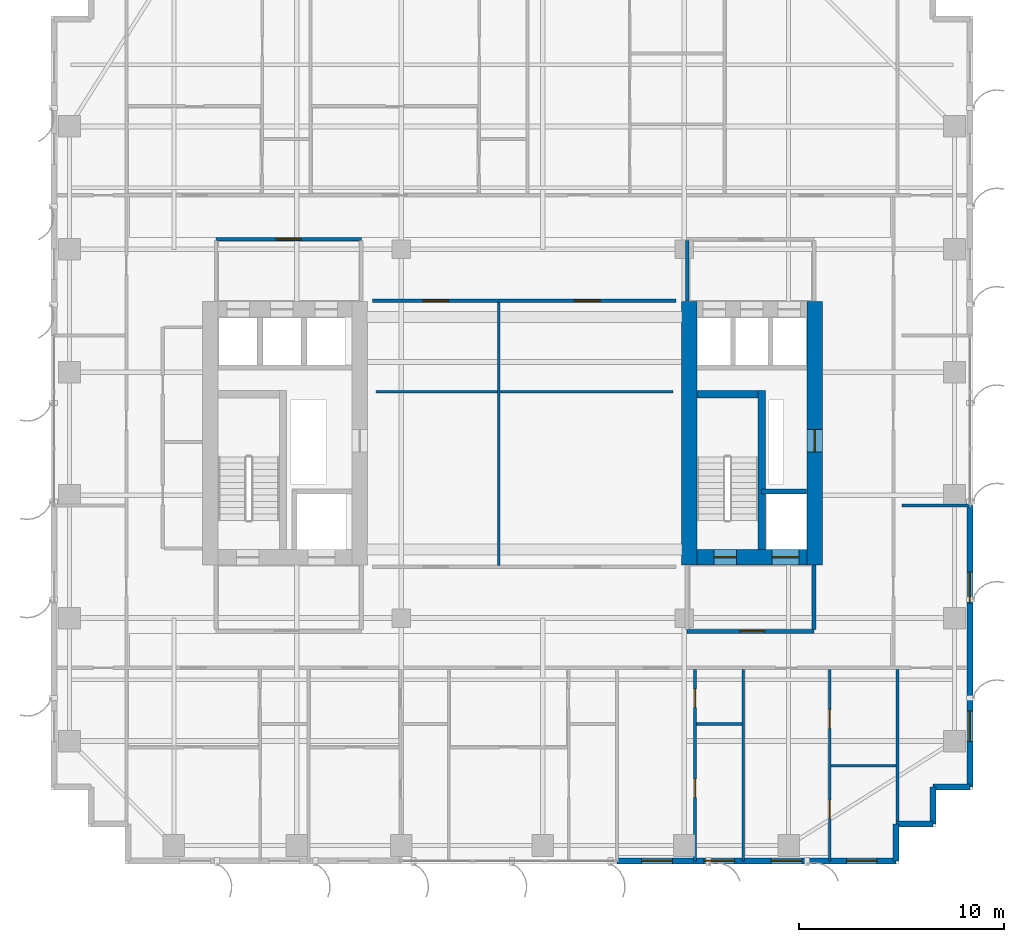
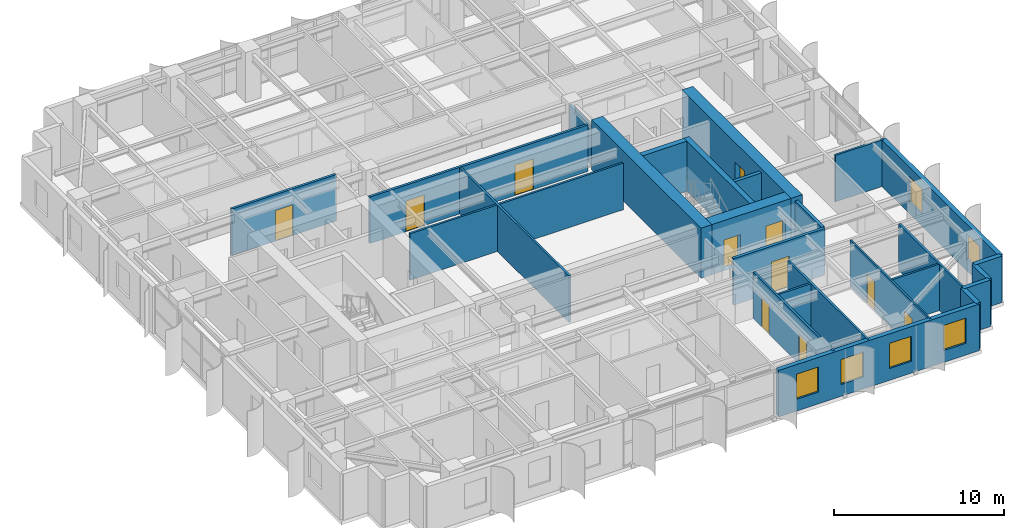
# One storey, part 15 of 22: 26 walls, 11 doors, 6 windows, 17 openings.
"""IFC4 building model written with IfcOpenShell, lengths in metres."""

from ifc_helpers import new_model, si_unit, direction, frame, frame_2d, origin, place, context, subcontext, project, spatial, rectangle, extrude, source, transform, mapped, material, layer, layer_set, type_object, element, fill, save


model = new_model("IFC4")

# Units and contexts
model_context = context("Model", 3, precision=1e-05, world=origin(), true_north=direction((0.0, 1.0)))
body_context = subcontext(model_context, "Body", "Model", "MODEL_VIEW")
ifc_project = project(units=[si_unit("LENGTHUNIT", "METRE"), si_unit("AREAUNIT", "SQUARE_METRE"), si_unit("VOLUMEUNIT", "CUBIC_METRE"), si_unit("PLANEANGLEUNIT", "RADIAN"), si_unit("MASSUNIT", "GRAM", prefix="KILO")], contexts=[model_context])

# Site, building, storey
site_placement = place(None, origin())
site = spatial("IfcSite", under=ifc_project, at=site_placement, CompositionType="ELEMENT")
building_placement = place(site_placement, origin())
building = spatial("IfcBuilding", under=site, at=building_placement, Name="Khoralis Quay Care Tower", CompositionType="ELEMENT")
storey_placement = place(building_placement, frame((0.0, 0.0, 101.699951171875)))
storey = spatial("IfcBuildingStorey", under=building, at=storey_placement, Name="L26", CompositionType="ELEMENT", Elevation=101.699951171875)

# Wall, opening, door
ifc_material_1 = material(Name="Gypsum plasterboard on acoustic metal stud")
ifc_layer_1 = layer(ifc_material_1, 0.199951171875)
ifc_layer_set_1 = layer_set([ifc_layer_1], Name="Gypsum plasterboard on acoustic metal stud")
wall_type_1 = type_object("IfcWallType", Name="WL-COMP-200", PredefinedType="PARTITIONING", material=ifc_layer_set_1)
wall_1_placement = place(storey_placement, frame((31.050048828125, 11.35009765625, 0.0), z_axis=(0.0, 0.0, 1.0), x_axis=(1.0, 0.0, 0.0)))
wall_1 = element("IfcWall", 1, at=wall_1_placement, inside=storey, type_object=wall_type_1, Name="L26 East Firefighting Lobby South Wall", PredefinedType="PARTITIONING", context=body_context, shape_type="SweptSolid", body=[
    extrude(rectangle(XDim=6.199951171875, YDim=0.199951171875, at=frame_2d((3.10009765625, 0.0))), origin(), (0.0, 0.0, 1.0), 3.340087890625),
])
opening_1_placement = place(wall_1_placement, frame((2.585693359375, 0.0, 0.0)))
opening_1 = element("IfcOpeningElement", 2, at=opening_1_placement, cuts=wall_1, Name="Opening FD1", PredefinedType="OPENING", context=body_context, shape_type="SweptSolid", body=[
    extrude(rectangle(XDim=1.199951171875, YDim=2.199951171875, at=frame_2d((0.60009765625, 1.10009765625))), frame((0.0, 0.10986328125, 0.0), z_axis=(0.0, -1.0, 0.0), x_axis=(1.0, 0.0, 0.0)), (0.0, 0.0, 1.0), 0.219970703125),
])
ifc_material_2 = material(Name="Fire-rated painted steel", Category="steel")
door_type_1 = type_object("IfcDoorType", Name="DR-FFL-1200X2200", OperationType="NOTDEFINED", PredefinedType="DOOR", material=ifc_material_2)
shared_shape_1 = source(origin(), body_context, "Body", "SweptSolid", [
    extrude(rectangle(XDim=1.199951171875, YDim=2.199951171875, at=frame_2d((0.60009765625, 1.10009765625))), frame((0.0, 0.02490234375, 0.0), z_axis=(0.0, -1.0, 0.0), x_axis=(1.0, 0.0, 0.0)), (0.0, 0.0, 1.0), 0.050048828125),
])
door_1_placement = place(opening_1_placement, origin())
door_1 = element("IfcDoor", 3, at=door_1_placement, inside=storey, type_object=door_type_1, Name="L26 East Firefighting Lobby Fire Door", OperationType="SINGLE_SWING_LEFT", OverallHeight=2.199951171875, OverallWidth=1.199951171875, PredefinedType="DOOR", context=body_context, shape_type="MappedRepresentation", body=[
    mapped(shared_shape_1, transform((0.0, 0.0, 0.0), scale=1.0)),
])
fill(opening_1, door_1)

# Walls
wall_2_placement = place(storey_placement, frame((37.25, 11.445068359375, 0.0), z_axis=(0.0, 0.0, 1.0), x_axis=(0.0, 1.0, 0.0)))
element("IfcWall", 4, at=wall_2_placement, inside=storey, type_object=wall_type_1, Name="L26 East Firefighting Lobby East Wall", PredefinedType="PARTITIONING", context=body_context, shape_type="SweptSolid", body=[
    extrude(rectangle(XDim=3.135009765625, YDim=0.199951171875, at=frame_2d((1.5673828125, 0.0))), origin(), (0.0, 0.0, 1.0), 3.340087890625),
])
ifc_material_3 = material(Name="Concrete C80/95", Category="concrete")
ifc_layer_2 = layer(ifc_material_3, 0.75)
ifc_layer_set_2 = layer_set([ifc_layer_2], Name="Concrete C80/95")
wall_type_2 = type_object("IfcWallType", Name="WL-CORE-750", PredefinedType="SHEAR", material=ifc_layer_set_2)
wall_3_placement = place(storey_placement, frame((31.14501953125, 14.60009765625, 0.0), z_axis=(0.0, 0.0, 1.0), x_axis=(0.0, 1.0, 0.0)))
element("IfcWall", 5, at=wall_3_placement, inside=storey, type_object=wall_type_2, Name="L26 ECORE West Shear Wall", PredefinedType="SHEAR", context=body_context, shape_type="SweptSolid", body=[
    extrude(rectangle(XDim=12.849853515625, YDim=0.75, at=frame_2d((6.4248046875, 0.0))), origin(), (0.0, 0.0, 1.0), 3.60009765625),
])

# Wall, opening, door
wall_4_placement = place(storey_placement, frame((37.27490234375, 14.60009765625, 0.0), z_axis=(0.0, 0.0, 1.0), x_axis=(0.0, 1.0, 0.0)))
wall_4 = element("IfcWall", 6, at=wall_4_placement, inside=storey, type_object=wall_type_2, Name="L26 ECORE East Shear Wall", PredefinedType="SHEAR", context=body_context, shape_type="SweptSolid", body=[
    extrude(rectangle(XDim=12.849853515625, YDim=0.75, at=frame_2d((6.4248046875, 0.0))), origin(), (0.0, 0.0, 1.0), 3.60009765625),
])
opening_2_placement = place(wall_4_placement, frame((5.5, 0.0, 0.0)))
opening_2 = element("IfcOpeningElement", 7, at=opening_2_placement, cuts=wall_4, Name="Opening SD1", PredefinedType="OPENING", context=body_context, shape_type="SweptSolid", body=[
    extrude(rectangle(XDim=1.10009765625, YDim=2.199951171875, at=frame_2d((0.550048828125, 1.10009765625))), frame((0.0, 0.385009765625, 0.0), z_axis=(0.0, -1.0, 0.0), x_axis=(1.0, 0.0, 0.0)), (0.0, 0.0, 1.0), 0.77001953125),
])
door_type_2 = type_object("IfcDoorType", Name="DR-STAIR-1100X2200", OperationType="NOTDEFINED", PredefinedType="DOOR", material=ifc_material_2)
shared_shape_2 = source(origin(), body_context, "Body", "SweptSolid", [
    extrude(rectangle(XDim=1.10009765625, YDim=2.199951171875, at=frame_2d((0.550048828125, 1.10009765625))), frame((0.0, 0.02490234375, 0.0), z_axis=(0.0, -1.0, 0.0), x_axis=(1.0, 0.0, 0.0)), (0.0, 0.0, 1.0), 0.050048828125),
])
door_2_placement = place(opening_2_placement, frame((1.10009765625, 0.0, 0.0), z_axis=(0.0, 0.0, 1.0), x_axis=(-1.0, 0.0, 0.0)))
door_2 = element("IfcDoor", 8, at=door_2_placement, inside=storey, type_object=door_type_2, Name="L26 East MEP Riser Door", OperationType="SINGLE_SWING_LEFT", OverallHeight=2.199951171875, OverallWidth=1.10009765625, PredefinedType="DOOR", context=body_context, shape_type="MappedRepresentation", body=[
    mapped(shared_shape_2, transform((0.0, 0.0, 0.0), scale=1.0)),
])
fill(opening_2, door_2)

# Wall, openings, doors
wall_5_placement = place(storey_placement, frame((31.52001953125, 14.97509765625, 0.0), z_axis=(0.0, 0.0, 1.0), x_axis=(1.0, 0.0, 0.0)))
wall_5 = element("IfcWall", 9, at=wall_5_placement, inside=storey, type_object=wall_type_2, Name="L26 ECORE South Shear Wall", PredefinedType="SHEAR", context=body_context, shape_type="SweptSolid", body=[
    extrude(rectangle(XDim=5.3798828125, YDim=0.75, at=frame_2d((2.68994140625, 0.0))), origin(), (0.0, 0.0, 1.0), 3.60009765625),
])
opening_3_placement = place(wall_5_placement, frame((0.830078125, 0.0, 0.0)))
opening_3 = element("IfcOpeningElement", 10, at=opening_3_placement, cuts=wall_5, Name="Opening SD1", PredefinedType="OPENING", context=body_context, shape_type="SweptSolid", body=[
    extrude(rectangle(XDim=1.10009765625, YDim=2.199951171875, at=frame_2d((0.550048828125, 1.10009765625))), frame((0.0, 0.385009765625, 0.0), z_axis=(0.0, -1.0, 0.0), x_axis=(1.0, 0.0, 0.0)), (0.0, 0.0, 1.0), 0.77001953125),
])
opening_4_placement = place(wall_5_placement, frame((3.679931640625, 0.0, 0.0)))
opening_4 = element("IfcOpeningElement", 11, at=opening_4_placement, cuts=wall_5, Name="Opening LD2", PredefinedType="OPENING", context=body_context, shape_type="SweptSolid", body=[
    extrude(rectangle(XDim=1.300048828125, YDim=2.199951171875, at=frame_2d((0.64990234375, 1.10009765625))), frame((0.0, 0.385009765625, 0.0), z_axis=(0.0, -1.0, 0.0), x_axis=(1.0, 0.0, 0.0)), (0.0, 0.0, 1.0), 0.77001953125),
])
door_3_placement = place(opening_3_placement, origin())
door_3 = element("IfcDoor", 12, at=door_3_placement, inside=storey, type_object=door_type_2, Name="L26 Stair ST-T2 Fire Door", OperationType="SINGLE_SWING_LEFT", OverallHeight=2.199951171875, OverallWidth=1.10009765625, PredefinedType="DOOR", context=body_context, shape_type="MappedRepresentation", body=[
    mapped(shared_shape_2, transform((0.0, 0.0, 0.0), scale=1.0)),
])
fill(opening_3, door_3)
ifc_material_4 = material(Name="Brushed stainless steel", Category="steel")
door_type_3 = type_object("IfcDoorType", Name="DR-LIFT-1300X2200", OperationType="SLIDING_TO_RIGHT", PredefinedType="DOOR", material=ifc_material_4)
shared_shape_3 = source(origin(), body_context, "Body", "SweptSolid", [
    extrude(rectangle(XDim=1.300048828125, YDim=2.199951171875, at=frame_2d((0.64990234375, 1.10009765625))), frame((0.0, 0.02490234375, 0.0), z_axis=(0.0, -1.0, 0.0), x_axis=(1.0, 0.0, 0.0)), (0.0, 0.0, 1.0), 0.050048828125),
])
door_4_placement = place(opening_4_placement, origin())
door_4 = element("IfcDoor", 13, at=door_4_placement, inside=storey, type_object=door_type_3, Name="L26 Firefighting Lift FFL-2 Landing Door", OperationType="SLIDING_TO_RIGHT", OverallHeight=2.199951171875, OverallWidth=1.300048828125, PredefinedType="DOOR", context=body_context, shape_type="MappedRepresentation", body=[
    mapped(shared_shape_3, transform((0.0, 0.0, 0.0), scale=1.0)),
])
fill(opening_4, door_4)

# Wall, opening, door
ifc_layer_3 = layer(ifc_material_1, 0.1650390625)
ifc_layer_set_3 = layer_set([ifc_layer_3], Name="Gypsum plasterboard on acoustic metal stud")
wall_type_3 = type_object("IfcWallType", Name="WL-CORR-165", PredefinedType="PARTITIONING", material=ifc_layer_set_3)
wall_6_placement = place(storey_placement, frame((8.050048828125, 30.5, 0.0), z_axis=(0.0, 0.0, 1.0), x_axis=(1.0, 0.0, 0.0)))
wall_6 = element("IfcWall", 14, at=wall_6_placement, inside=storey, type_object=wall_type_3, Name="L26 West Lift Lobby North Wall", PredefinedType="PARTITIONING", context=body_context, shape_type="SweptSolid", body=[
    extrude(rectangle(XDim=7.099853515625, YDim=0.1650390625, at=frame_2d((3.5498046875, 0.0))), origin(), (0.0, 0.0, 1.0), 3.340087890625),
])
opening_5_placement = place(wall_6_placement, frame((2.949951171875, 0.0, 0.0)))
opening_5 = element("IfcOpeningElement", 15, at=opening_5_placement, cuts=wall_6, Name="Opening FD1", PredefinedType="OPENING", context=body_context, shape_type="SweptSolid", body=[
    extrude(rectangle(XDim=1.199951171875, YDim=2.199951171875, at=frame_2d((0.60009765625, 1.10009765625))), frame((0.0, 0.092529296875, 0.0), z_axis=(0.0, -1.0, 0.0), x_axis=(1.0, 0.0, 0.0)), (0.0, 0.0, 1.0), 0.18505859375),
])
door_5_placement = place(opening_5_placement, origin())
door_5 = element("IfcDoor", 16, at=door_5_placement, inside=storey, type_object=door_type_1, Name="L26 West Lift Lobby Double Door", OperationType="DOUBLE_DOOR_SINGLE_SWING", OverallHeight=2.199951171875, OverallWidth=1.199951171875, PredefinedType="DOOR", context=body_context, shape_type="MappedRepresentation", body=[
    mapped(shared_shape_1, transform((0.0, 0.0, 0.0), scale=1.0)),
])
fill(opening_5, door_5)

# Wall
wall_7_placement = place(storey_placement, frame((31.050048828125, 27.469970703125, 0.0), z_axis=(0.0, 0.0, 1.0), x_axis=(0.0, 1.0, 0.0)))
element("IfcWall", 17, at=wall_7_placement, inside=storey, type_object=wall_type_3, Name="L26 East Lift Lobby West Wall", PredefinedType="PARTITIONING", context=body_context, shape_type="SweptSolid", body=[
    extrude(rectangle(XDim=2.95263671875, YDim=0.1650390625, at=frame_2d((1.476318359375, 0.0))), origin(), (0.0, 0.0, 1.0), 2.796142578125),
])

# Wall, openings, doors
wall_8_placement = place(storey_placement, frame((15.699951171875, 27.5, 0.0), z_axis=(0.0, 0.0, 1.0), x_axis=(1.0, 0.0, 0.0)))
wall_8 = element("IfcWall", 18, at=wall_8_placement, inside=storey, type_object=wall_type_3, Name="L26 Central Clinical North Wall", PredefinedType="PARTITIONING", context=body_context, shape_type="SweptSolid", body=[
    extrude(rectangle(XDim=14.800048828125, YDim=0.1650390625, at=frame_2d((7.39990234375, 0.0))), origin(), (0.0, 0.0, 1.0), 3.340087890625),
])
opening_6_placement = place(wall_8_placement, frame((2.449951171875, 0.0, 0.0)))
opening_6 = element("IfcOpeningElement", 19, at=opening_6_placement, cuts=wall_8, Name="Opening CD1", PredefinedType="OPENING", context=body_context, shape_type="SweptSolid", body=[
    extrude(rectangle(XDim=1.25, YDim=2.199951171875, at=frame_2d((0.625, 1.10009765625))), frame((0.0, 0.092529296875, 0.0), z_axis=(0.0, -1.0, 0.0), x_axis=(1.0, 0.0, 0.0)), (0.0, 0.0, 1.0), 0.18505859375),
])
opening_7_placement = place(wall_8_placement, frame((9.85009765625, 0.0, 0.0)))
opening_7 = element("IfcOpeningElement", 20, at=opening_7_placement, cuts=wall_8, Name="Opening CD1", PredefinedType="OPENING", context=body_context, shape_type="SweptSolid", body=[
    extrude(rectangle(XDim=1.25, YDim=2.199951171875, at=frame_2d((0.625, 1.10009765625))), frame((0.0, 0.092529296875, 0.0), z_axis=(0.0, -1.0, 0.0), x_axis=(1.0, 0.0, 0.0)), (0.0, 0.0, 1.0), 0.18505859375),
])
ifc_material_5 = material(Name="Acoustic hardwood timber", Category="wood")
door_type_4 = type_object("IfcDoorType", Name="DR-CARE-1250X2200", OperationType="NOTDEFINED", PredefinedType="DOOR", material=ifc_material_5)
shared_shape_4 = source(origin(), body_context, "Body", "SweptSolid", [
    extrude(rectangle(XDim=1.25, YDim=2.199951171875, at=frame_2d((0.625, 1.10009765625))), frame((0.0, 0.02490234375, 0.0), z_axis=(0.0, -1.0, 0.0), x_axis=(1.0, 0.0, 0.0)), (0.0, 0.0, 1.0), 0.050048828125),
])
door_6_placement = place(opening_6_placement, frame((1.25, 0.0, 0.0), z_axis=(0.0, 0.0, 1.0), x_axis=(-1.0, 0.0, 0.0)))
door_6 = element("IfcDoor", 21, at=door_6_placement, inside=storey, type_object=door_type_4, Name="L26 Library Lounge Door", OperationType="SINGLE_SWING_LEFT", OverallHeight=2.199951171875, OverallWidth=1.25, PredefinedType="DOOR", context=body_context, shape_type="MappedRepresentation", body=[
    mapped(shared_shape_4, transform((0.0, 0.0, 0.0), scale=1.0)),
])
fill(opening_6, door_6)
door_7_placement = place(opening_7_placement, frame((1.25, 0.0, 0.0), z_axis=(0.0, 0.0, 1.0), x_axis=(-1.0, 0.0, 0.0)))
door_7 = element("IfcDoor", 22, at=door_7_placement, inside=storey, type_object=door_type_4, Name="L26 Occupational Therapy Door", OperationType="SINGLE_SWING_RIGHT", OverallHeight=2.199951171875, OverallWidth=1.25, PredefinedType="DOOR", context=body_context, shape_type="MappedRepresentation", body=[
    mapped(shared_shape_4, transform((0.0, 0.0, 0.0), scale=1.0)),
])
fill(opening_7, door_7)

# Wall, openings, windows
ifc_material_6 = material(Name="Precast concrete C45/55", Category="concrete")
ifc_layer_4 = layer(ifc_material_6, 0.300048828125)
ifc_layer_set_4 = layer_set([ifc_layer_4], Name="Precast concrete C45/55")
wall_type_4 = type_object("IfcWallType", Name="WL-EXT-REF-300", PredefinedType="SOLIDWALL", material=ifc_layer_set_4)
wall_9_placement = place(storey_placement, frame((27.6201171875, 0.14990234375, 0.0), z_axis=(0.0, 0.0, 1.0), x_axis=(1.0, 0.0, 0.0)))
wall_9 = element("IfcWall", 23, at=wall_9_placement, inside=storey, type_object=wall_type_4, Name="L26 External Facade Wall WL-EXT-L26-P1-E0B", PredefinedType="SOLIDWALL", context=body_context, shape_type="SweptSolid", body=[
    extrude(rectangle(XDim=13.6298828125, YDim=0.300048828125, at=frame_2d((6.81494140625, 0.0))), origin(), (0.0, 0.0, 1.0), 3.340087890625),
])
opening_8_placement = place(wall_9_placement, frame((1.2099609375, 0.0, 0.85009765625)))
opening_8 = element("IfcOpeningElement", 24, at=opening_8_placement, cuts=wall_9, Name="Opening W3", PredefinedType="OPENING", context=body_context, shape_type="SweptSolid", body=[
    extrude(rectangle(XDim=1.5, YDim=1.800048828125, at=frame_2d((0.75, 0.89990234375))), frame((0.0, 0.16015625, 0.0), z_axis=(0.0, -1.0, 0.0), x_axis=(1.0, 0.0, 0.0)), (0.0, 0.0, 1.0), 0.320068359375),
])
opening_9_placement = place(wall_9_placement, frame((4.2451171875, 0.0, 0.85009765625)))
opening_9 = element("IfcOpeningElement", 25, at=opening_9_placement, cuts=wall_9, Name="Opening W3", PredefinedType="OPENING", context=body_context, shape_type="SweptSolid", body=[
    extrude(rectangle(XDim=1.5, YDim=1.800048828125, at=frame_2d((0.75, 0.89990234375))), frame((0.0, 0.16015625, 0.0), z_axis=(0.0, -1.0, 0.0), x_axis=(1.0, 0.0, 0.0)), (0.0, 0.0, 1.0), 0.320068359375),
])
opening_10_placement = place(wall_9_placement, frame((7.528564453125, 0.0, 0.85009765625)))
opening_10 = element("IfcOpeningElement", 26, at=opening_10_placement, cuts=wall_9, Name="Opening W3", PredefinedType="OPENING", context=body_context, shape_type="SweptSolid", body=[
    extrude(rectangle(XDim=1.5, YDim=1.800048828125, at=frame_2d((0.75, 0.89990234375))), frame((0.0, 0.16015625, 0.0), z_axis=(0.0, -1.0, 0.0), x_axis=(1.0, 0.0, 0.0)), (0.0, 0.0, 1.0), 0.320068359375),
])
opening_11_placement = place(wall_9_placement, frame((11.20849609375, 0.0, 0.85009765625)))
opening_11 = element("IfcOpeningElement", 27, at=opening_11_placement, cuts=wall_9, Name="Opening W3", PredefinedType="OPENING", context=body_context, shape_type="SweptSolid", body=[
    extrude(rectangle(XDim=1.5, YDim=1.800048828125, at=frame_2d((0.75, 0.89990234375))), frame((0.0, 0.16015625, 0.0), z_axis=(0.0, -1.0, 0.0), x_axis=(1.0, 0.0, 0.0)), (0.0, 0.0, 1.0), 0.320068359375),
])
ifc_material_7 = material(Name="Low-E solar-control double glazing", Category="glass")
window_type = type_object("IfcWindowType", Name="WN-CLIN-1500X1800", PartitioningType="SINGLE_PANEL", PredefinedType="WINDOW", material=ifc_material_7)
shared_shape_5 = source(origin(), body_context, "Body", "SweptSolid", [
    extrude(rectangle(XDim=1.5, YDim=1.800048828125, at=frame_2d((0.75, 0.89990234375))), frame((0.0, 0.030029296875, 0.0), z_axis=(0.0, -1.0, 0.0), x_axis=(1.0, 0.0, 0.0)), (0.0, 0.0, 1.0), 0.06005859375),
])
window_1_placement = place(opening_8_placement, origin())
window_1 = element("IfcWindow", 28, at=window_1_placement, inside=storey, type_object=window_type, Name="WN-L26-P1-E0B Facade Window 01", OverallHeight=1.800048828125, OverallWidth=1.5, PartitioningType="SINGLE_PANEL", PredefinedType="WINDOW", context=body_context, shape_type="MappedRepresentation", body=[
    mapped(shared_shape_5, transform((0.0, 0.0, 0.0), scale=1.0)),
])
fill(opening_8, window_1)
window_2_placement = place(opening_9_placement, origin())
window_2 = element("IfcWindow", 29, at=window_2_placement, inside=storey, type_object=window_type, Name="WN-L26-P1-E0B Facade Window 02", OverallHeight=1.800048828125, OverallWidth=1.5, PartitioningType="SINGLE_PANEL", PredefinedType="WINDOW", context=body_context, shape_type="MappedRepresentation", body=[
    mapped(shared_shape_5, transform((0.0, 0.0, 0.0), scale=1.0)),
])
fill(opening_9, window_2)
window_3_placement = place(opening_10_placement, origin())
window_3 = element("IfcWindow", 30, at=window_3_placement, inside=storey, type_object=window_type, Name="WN-L26-P1-E0B Facade Window 03", OverallHeight=1.800048828125, OverallWidth=1.5, PartitioningType="SINGLE_PANEL", PredefinedType="WINDOW", context=body_context, shape_type="MappedRepresentation", body=[
    mapped(shared_shape_5, transform((0.0, 0.0, 0.0), scale=1.0)),
])
fill(opening_10, window_3)
window_4_placement = place(opening_11_placement, origin())
window_4 = element("IfcWindow", 31, at=window_4_placement, inside=storey, type_object=window_type, Name="WN-L26-P1-E0B Facade Window 04", OverallHeight=1.800048828125, OverallWidth=1.5, PartitioningType="SINGLE_PANEL", PredefinedType="WINDOW", context=body_context, shape_type="MappedRepresentation", body=[
    mapped(shared_shape_5, transform((0.0, 0.0, 0.0), scale=1.0)),
])
fill(opening_11, window_4)

# Walls
for number, where, z_axis, x_axis, name in (
    (32, (41.25, 0.14990234375, 0.0), (0.0, 0.0, 1.0), (0.0, 1.0, 0.0), "L26 External Facade Wall WL-EXT-L26-P1-C1"),
    (33, (41.25, 1.949951171875, 0.0), (0.0, 0.0, 1.0), (1.0, 0.0, 0.0), "L26 External Facade Wall WL-EXT-L26-P1-C2"),
    (34, (43.050048828125, 1.949951171875, 0.0), (0.0, 0.0, 1.0), (0.0, 1.0, 0.0), "L26 External Facade Wall WL-EXT-L26-P1-C3"),
    (35, (43.050048828125, 3.75, 0.0), (0.0, 0.0, 1.0), (1.0, 0.0, 0.0), "L26 External Facade Wall WL-EXT-L26-P1-C4"),
):
    element("IfcWall", number, at=place(storey_placement, frame(where, z_axis=z_axis, x_axis=x_axis)), inside=storey, type_object=wall_type_4, Name=name, PredefinedType="SOLIDWALL", context=body_context, shape_type="SweptSolid", body=[
        extrude(rectangle(XDim=1.800048828125, YDim=0.300048828125, at=frame_2d((0.89990234375, 0.0))), origin(), (0.0, 0.0, 1.0), 3.340087890625),
    ])

# Wall, openings, windows
wall_10_placement = place(storey_placement, frame((44.85009765625, 3.75, 0.0), z_axis=(0.0, 0.0, 1.0), x_axis=(0.0, 1.0, 0.0)))
wall_10 = element("IfcWall", 36, at=wall_10_placement, inside=storey, type_object=wall_type_4, Name="L26 External Facade Wall WL-EXT-L26-P1-E5A", PredefinedType="SOLIDWALL", context=body_context, shape_type="SweptSolid", body=[
    extrude(rectangle(XDim=13.75, YDim=0.300048828125, at=frame_2d((6.875, 0.0))), origin(), (0.0, 0.0, 1.0), 3.340087890625),
])
opening_12_placement = place(wall_10_placement, frame((2.215087890625, 0.0, 0.85009765625)))
opening_12 = element("IfcOpeningElement", 37, at=opening_12_placement, cuts=wall_10, Name="Opening W3", PredefinedType="OPENING", context=body_context, shape_type="SweptSolid", body=[
    extrude(rectangle(XDim=1.5, YDim=1.800048828125, at=frame_2d((0.75, 0.89990234375))), frame((0.0, 0.16015625, 0.0), z_axis=(0.0, -1.0, 0.0), x_axis=(1.0, 0.0, 0.0)), (0.0, 0.0, 1.0), 0.320068359375),
])
opening_13_placement = place(wall_10_placement, frame((8.989990234375, 0.0, 0.85009765625)))
opening_13 = element("IfcOpeningElement", 38, at=opening_13_placement, cuts=wall_10, Name="Opening W3", PredefinedType="OPENING", context=body_context, shape_type="SweptSolid", body=[
    extrude(rectangle(XDim=1.5, YDim=1.800048828125, at=frame_2d((0.75, 0.89990234375))), frame((0.0, 0.16015625, 0.0), z_axis=(0.0, -1.0, 0.0), x_axis=(1.0, 0.0, 0.0)), (0.0, 0.0, 1.0), 0.320068359375),
])
window_5_placement = place(opening_12_placement, origin())
window_5 = element("IfcWindow", 39, at=window_5_placement, inside=storey, type_object=window_type, Name="WN-L26-P1-E5A Facade Window 01", OverallHeight=1.800048828125, OverallWidth=1.5, PartitioningType="SINGLE_PANEL", PredefinedType="WINDOW", context=body_context, shape_type="MappedRepresentation", body=[
    mapped(shared_shape_5, transform((0.0, 0.0, 0.0), scale=1.0)),
])
fill(opening_12, window_5)
window_6_placement = place(opening_13_placement, origin())
window_6 = element("IfcWindow", 40, at=window_6_placement, inside=storey, type_object=window_type, Name="WN-L26-P1-E5A Facade Window 02", OverallHeight=1.800048828125, OverallWidth=1.5, PartitioningType="SINGLE_PANEL", PredefinedType="WINDOW", context=body_context, shape_type="MappedRepresentation", body=[
    mapped(shared_shape_5, transform((0.0, 0.0, 0.0), scale=1.0)),
])
fill(opening_13, window_6)

# Wall, openings, doors
ifc_layer_5 = layer(ifc_material_1, 0.114990234375)
ifc_layer_set_5 = layer_set([ifc_layer_5], Name="Gypsum plasterboard on acoustic metal stud")
wall_type_5 = type_object("IfcWallType", Name="WL-PART-115", PredefinedType="PARTITIONING", material=ifc_layer_set_5)
wall_11_placement = place(storey_placement, frame((38.007080078125, 0.14501953125, 0.0), z_axis=(0.0, 0.0, 1.0), x_axis=(0.0, 1.0, 0.0)))
wall_11 = element("IfcWall", 41, at=wall_11_placement, inside=storey, type_object=wall_type_5, Name="L26 Studio 4 Internal Wall", PredefinedType="PARTITIONING", context=body_context, shape_type="SweptSolid", body=[
    extrude(rectangle(XDim=9.357421875, YDim=0.114990234375, at=frame_2d((4.6787109375, 0.0))), origin(), (0.0, 0.0, 1.0), 3.340087890625),
])
opening_14_placement = place(wall_11_placement, frame((2.074951171875, 0.0, 0.0)))
opening_14 = element("IfcOpeningElement", 42, at=opening_14_placement, cuts=wall_11, Name="Opening WD1", PredefinedType="OPENING", context=body_context, shape_type="SweptSolid", body=[
    extrude(rectangle(XDim=0.89990234375, YDim=2.10009765625, at=frame_2d((0.449951171875, 1.050048828125))), frame((0.0, 0.0673828125, 0.0), z_axis=(0.0, -1.0, 0.0), x_axis=(1.0, 0.0, 0.0)), (0.0, 0.0, 1.0), 0.135009765625),
])
opening_15_placement = place(wall_11_placement, frame((6.47509765625, 0.0, 0.0)))
opening_15 = element("IfcOpeningElement", 43, at=opening_15_placement, cuts=wall_11, Name="Opening WD1", PredefinedType="OPENING", context=body_context, shape_type="SweptSolid", body=[
    extrude(rectangle(XDim=0.89990234375, YDim=2.10009765625, at=frame_2d((0.449951171875, 1.050048828125))), frame((0.0, 0.0673828125, 0.0), z_axis=(0.0, -1.0, 0.0), x_axis=(1.0, 0.0, 0.0)), (0.0, 0.0, 1.0), 0.135009765625),
])
door_type_5 = type_object("IfcDoorType", Name="DR-BATH-900X2100", OperationType="NOTDEFINED", PredefinedType="DOOR", material=ifc_material_5)
shared_shape_6 = source(origin(), body_context, "Body", "SweptSolid", [
    extrude(rectangle(XDim=0.89990234375, YDim=2.10009765625, at=frame_2d((0.449951171875, 1.050048828125))), frame((0.0, 0.02490234375, 0.0), z_axis=(0.0, -1.0, 0.0), x_axis=(1.0, 0.0, 0.0)), (0.0, 0.0, 1.0), 0.050048828125),
])
door_8_placement = place(opening_14_placement, frame((0.89990234375, 0.0, 0.0), z_axis=(0.0, 0.0, 1.0), x_axis=(-1.0, 0.0, 0.0)))
door_8 = element("IfcDoor", 44, at=door_8_placement, inside=storey, type_object=door_type_5, Name="L26 Studio SKT Door", OperationType="SINGLE_SWING_LEFT", OverallHeight=2.10009765625, OverallWidth=0.89990234375, PredefinedType="DOOR", context=body_context, shape_type="MappedRepresentation", body=[
    mapped(shared_shape_6, transform((0.0, 0.0, 0.0), scale=1.0)),
])
fill(opening_14, door_8)
door_9_placement = place(opening_15_placement, frame((0.89990234375, 0.0, 0.0), z_axis=(0.0, 0.0, 1.0), x_axis=(-1.0, 0.0, 0.0)))
door_9 = element("IfcDoor", 45, at=door_9_placement, inside=storey, type_object=door_type_5, Name="L26 Studio SBH Door", OperationType="SINGLE_SWING_RIGHT", OverallHeight=2.10009765625, OverallWidth=0.89990234375, PredefinedType="DOOR", context=body_context, shape_type="MappedRepresentation", body=[
    mapped(shared_shape_6, transform((0.0, 0.0, 0.0), scale=1.0)),
])
fill(opening_15, door_9)

ifc_material_8 = material(Name="Moisture-resistant gypsum and ceramic tile")
ifc_layer_6 = layer(ifc_material_8, 0.280029296875)
ifc_layer_set_6 = layer_set([ifc_layer_6], Name="Moisture-resistant gypsum and ceramic tile")
wall_type_6 = type_object("IfcWallType", Name="WL-PLUMB-280", PredefinedType="PLUMBINGWALL", material=ifc_layer_set_6)
wall_12_placement = place(storey_placement, frame((31.43994140625, 0.14501953125, 0.0), z_axis=(0.0, 0.0, 1.0), x_axis=(0.0, 1.0, 0.0)))
wall_12 = element("IfcWall", 46, at=wall_12_placement, inside=storey, type_object=wall_type_6, Name="L26 Care Suite 3 En-Suite Wall V", PredefinedType="PLUMBINGWALL", context=body_context, shape_type="SweptSolid", body=[
    extrude(rectangle(XDim=9.357421875, YDim=0.139892578125, at=frame_2d((4.6787109375, 0.0))), origin(), (0.0, 0.0, 1.0), 3.340087890625),
])
opening_16_placement = place(wall_12_placement, frame((7.4951171875, 0.0, 0.0)))
opening_16 = element("IfcOpeningElement", 47, at=opening_16_placement, cuts=wall_12, Name="Opening WD1", PredefinedType="OPENING", context=body_context, shape_type="SweptSolid", body=[
    extrude(rectangle(XDim=0.89990234375, YDim=2.10009765625, at=frame_2d((0.449951171875, 1.050048828125))), frame((0.0, 0.080078125, 0.0), z_axis=(0.0, -1.0, 0.0), x_axis=(1.0, 0.0, 0.0)), (0.0, 0.0, 1.0), 0.159912109375),
])
opening_17_placement = place(wall_12_placement, frame((3.094970703125, 0.0, 0.0)))
opening_17 = element("IfcOpeningElement", 48, at=opening_17_placement, cuts=wall_12, Name="Opening WD1", PredefinedType="OPENING", context=body_context, shape_type="SweptSolid", body=[
    extrude(rectangle(XDim=0.89990234375, YDim=2.10009765625, at=frame_2d((0.449951171875, 1.050048828125))), frame((0.0, 0.080078125, 0.0), z_axis=(0.0, -1.0, 0.0), x_axis=(1.0, 0.0, 0.0)), (0.0, 0.0, 1.0), 0.159912109375),
])
door_10_placement = place(opening_16_placement, frame((0.89990234375, 0.0, 0.0), z_axis=(0.0, 0.0, 1.0), x_axis=(-1.0, 0.0, 0.0)))
door_10 = element("IfcDoor", 49, at=door_10_placement, inside=storey, type_object=door_type_5, Name="L26 Care CENS Door", OperationType="SINGLE_SWING_RIGHT", OverallHeight=2.10009765625, OverallWidth=0.89990234375, PredefinedType="DOOR", context=body_context, shape_type="MappedRepresentation", body=[
    mapped(shared_shape_6, transform((0.0, 0.0, 0.0), scale=1.0)),
])
fill(opening_16, door_10)
door_11_placement = place(opening_17_placement, frame((0.89990234375, 0.0, 0.0), z_axis=(0.0, 0.0, 1.0), x_axis=(-1.0, 0.0, 0.0)))
door_11 = element("IfcDoor", 50, at=door_11_placement, inside=storey, type_object=door_type_5, Name="L26 Care CSIT Door", OperationType="SINGLE_SWING_LEFT", OverallHeight=2.10009765625, OverallWidth=0.89990234375, PredefinedType="DOOR", context=body_context, shape_type="MappedRepresentation", body=[
    mapped(shared_shape_6, transform((0.0, 0.0, 0.0), scale=1.0)),
])
fill(opening_17, door_11)

# Walls
wall_13_placement = place(storey_placement, frame((31.5048828125, 6.830078125, 0.0), z_axis=(0.0, 0.0, 1.0), x_axis=(1.0, 0.0, 0.0)))
element("IfcWall", 51, at=wall_13_placement, inside=storey, type_object=wall_type_6, Name="L26 Care Suite 3 En-Suite Wall H", PredefinedType="PLUMBINGWALL", context=body_context, shape_type="SweptSolid", body=[
    extrude(rectangle(XDim=2.22021484375, YDim=0.139892578125, at=frame_2d((1.110107421875, 0.0))), origin(), (0.0, 0.0, 1.0), 3.340087890625),
])
wall_14_placement = place(storey_placement, frame((38.0595703125, 4.7900390625, 0.0), z_axis=(0.0, 0.0, 1.0), x_axis=(1.0, 0.0, 0.0)))
element("IfcWall", 52, at=wall_14_placement, inside=storey, type_object=wall_type_6, Name="L26 Studio 4 Wet Split", PredefinedType="PLUMBINGWALL", context=body_context, shape_type="SweptSolid", body=[
    extrude(rectangle(XDim=3.1953125, YDim=0.139892578125, at=frame_2d((1.59765625, 0.0))), origin(), (0.0, 0.0, 1.0), 3.340087890625),
])
ifc_material_9 = material(Name="Concrete C40/50", Category="concrete")
ifc_layer_7 = layer(ifc_material_9, 0.35009765625)
ifc_layer_set_7 = layer_set([ifc_layer_7], Name="Concrete C40/50")
wall_type_7 = type_object("IfcWallType", Name="WL-SC-CORE-350", PredefinedType="SHEAR", material=ifc_layer_set_7)
wall_15_placement = place(storey_placement, frame((34.695068359375, 15.35009765625, 0.0), z_axis=(0.0, 0.0, 1.0), x_axis=(0.0, 1.0, 0.0)))
element("IfcWall", 53, at=wall_15_placement, inside=storey, type_object=wall_type_7, Name="L26 Stair ST-T2 Shear Baffle Wall East", PredefinedType="SHEAR", context=body_context, shape_type="SweptSolid", body=[
    extrude(rectangle(XDim=7.75, YDim=0.35009765625, at=frame_2d((3.875, 0.0))), origin(), (0.0, 0.0, 1.0), 3.60009765625),
])
wall_16_placement = place(storey_placement, frame((31.52001953125, 22.925048828125, 0.0), z_axis=(0.0, 0.0, 1.0), x_axis=(1.0, 0.0, 0.0)))
element("IfcWall", 54, at=wall_16_placement, inside=storey, type_object=wall_type_7, Name="L26 Stair ST-T2 Shear Baffle Wall North", PredefinedType="SHEAR", context=body_context, shape_type="SweptSolid", body=[
    extrude(rectangle(XDim=3.0, YDim=0.35009765625, at=frame_2d((1.5, 0.0))), origin(), (0.0, 0.0, 1.0), 3.60009765625),
])
ifc_layer_8 = layer(ifc_material_1, 0.239990234375)
ifc_layer_set_8 = layer_set([ifc_layer_8], Name="Gypsum plasterboard on acoustic metal stud")
wall_type_8 = type_object("IfcWallType", Name="WL-SHAFT-240", PredefinedType="PARTITIONING", material=ifc_layer_set_8)
wall_17_placement = place(storey_placement, frame((34.679931640625, 18.169921875, 0.0), z_axis=(0.0, 0.0, 1.0), x_axis=(1.0, 0.0, 0.0)))
element("IfcWall", 55, at=wall_17_placement, inside=storey, type_object=wall_type_8, Name="L26 FFL-2 Shaft Wall North", PredefinedType="PARTITIONING", context=body_context, shape_type="SweptSolid", body=[
    extrude(rectangle(XDim=2.199951171875, YDim=0.239990234375, at=frame_2d((1.10009765625, 0.0))), origin(), (0.0, 0.0, 1.0), 3.340087890625),
])
ifc_layer_9 = layer(ifc_material_1, 0.139892578125)
ifc_layer_set_9 = layer_set([ifc_layer_9], Name="Gypsum plasterboard on acoustic metal stud")
wall_type_9 = type_object("IfcWallType", Name="WL-UNIT-140", PredefinedType="PARTITIONING", material=ifc_layer_set_9)
wall_18_placement = place(storey_placement, frame((41.5400390625, 17.5, 0.0), z_axis=(0.0, 0.0, 1.0), x_axis=(1.0, 0.0, 0.0)))
element("IfcWall", 56, at=wall_18_placement, inside=storey, type_object=wall_type_9, Name="L26 EE Divider 1", PredefinedType="PARTITIONING", context=body_context, shape_type="SweptSolid", body=[
    extrude(rectangle(XDim=3.31494140625, YDim=0.139892578125, at=frame_2d((1.657470703125, 0.0))), origin(), (0.0, 0.0, 1.0), 3.340087890625),
])
wall_19_placement = place(storey_placement, frame((21.85009765625, 14.577392578125, 0.0), z_axis=(0.0, 0.0, 1.0), x_axis=(0.0, 1.0, 0.0)))
element("IfcWall", 57, at=wall_19_placement, inside=storey, type_object=wall_type_9, Name="L26 Central Split V", PredefinedType="PARTITIONING", context=body_context, shape_type="SweptSolid", body=[
    extrude(rectangle(XDim=12.84521484375, YDim=0.139892578125, at=frame_2d((6.422607421875, 0.0))), origin(), (0.0, 0.0, 1.0), 3.340087890625),
])
wall_20_placement = place(storey_placement, frame((15.85009765625, 23.050048828125, 0.0), z_axis=(0.0, 0.0, 1.0), x_axis=(1.0, 0.0, 0.0)))
element("IfcWall", 58, at=wall_20_placement, inside=storey, type_object=wall_type_9, Name="L26 Central Split H", PredefinedType="PARTITIONING", context=body_context, shape_type="SweptSolid", body=[
    extrude(rectangle(XDim=14.5, YDim=0.139892578125, at=frame_2d((7.25, 0.0))), origin(), (0.0, 0.0, 1.0), 3.340087890625),
])
wall_21_placement = place(storey_placement, frame((33.7900390625, 0.14501953125, 0.0), z_axis=(0.0, 0.0, 1.0), x_axis=(0.0, 1.0, 0.0)))
element("IfcWall", 59, at=wall_21_placement, inside=storey, type_object=wall_type_9, Name="L26 SB Demising Wall 4", PredefinedType="PARTITIONING", context=body_context, shape_type="SweptSolid", body=[
    extrude(rectangle(XDim=9.357421875, YDim=0.139892578125, at=frame_2d((4.6787109375, 0.0))), origin(), (0.0, 0.0, 1.0), 3.340087890625),
])
wall_22_placement = place(storey_placement, frame((41.320068359375, 1.945068359375, 0.0), z_axis=(0.0, 0.0, 1.0), x_axis=(0.0, 1.0, 0.0)))
element("IfcWall", 60, at=wall_22_placement, inside=storey, type_object=wall_type_9, Name="L26 SB Demising Wall 5", PredefinedType="PARTITIONING", context=body_context, shape_type="SweptSolid", body=[
    extrude(rectangle(XDim=7.557373046875, YDim=0.139892578125, at=frame_2d((3.77880859375, 0.0))), origin(), (0.0, 0.0, 1.0), 3.340087890625),
])

save(model, "model.ifc")
